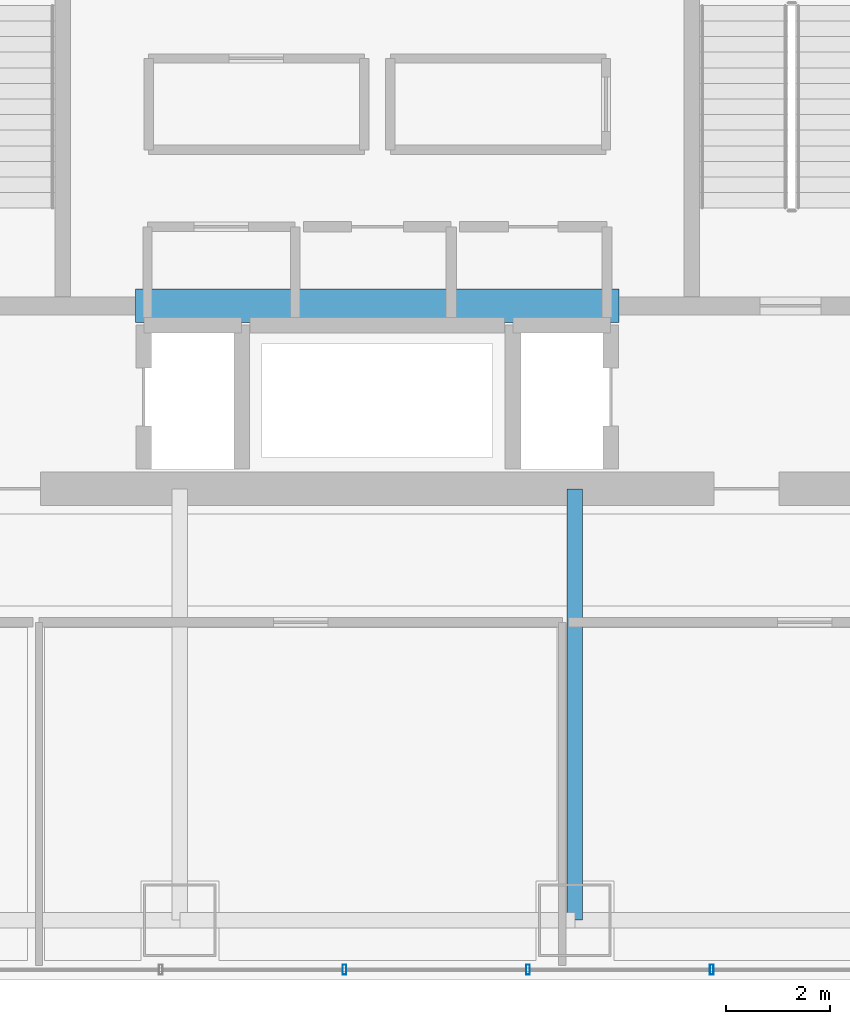
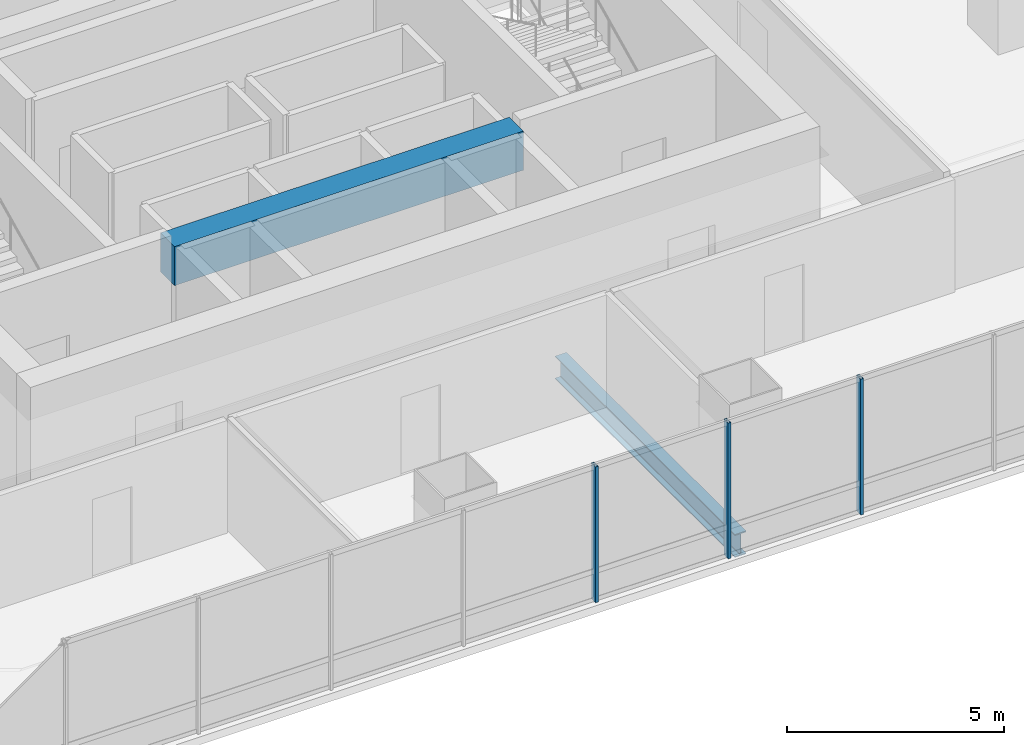
# One storey, part 9 of 37: 3 members, 2 beams, 1 element without a shape of its own.
"""IFC4 building model written with IfcOpenShell, lengths in metres."""

from ifc_helpers import new_model, si_unit, direction, frame, origin, origin_2d, place, context, subcontext, project, spatial, rectangle, hollow_rectangle, i_section, extrude, material, material_profile, profile_set, type_object, element, aggregate, save


model = new_model("IFC4")

# Units and contexts
model_context = context("Model", 3, precision=1e-05, world=origin(), true_north=direction((0.0, 1.0)))
body_context = subcontext(model_context, "Body", "Model", "MODEL_VIEW")
ifc_project = project(units=[si_unit("LENGTHUNIT", "METRE"), si_unit("AREAUNIT", "SQUARE_METRE"), si_unit("VOLUMEUNIT", "CUBIC_METRE"), si_unit("PLANEANGLEUNIT", "RADIAN"), si_unit("MASSUNIT", "GRAM", prefix="KILO")], contexts=[model_context])

# Site, building, storey
site_placement = place(None, origin())
site = spatial("IfcSite", under=ifc_project, at=site_placement, CompositionType="ELEMENT")
building_placement = place(site_placement, origin())
building = spatial("IfcBuilding", under=site, at=building_placement, Name="Punatoya Terracotta Tower", CompositionType="ELEMENT")
storey_placement = place(building_placement, frame((0.0, 0.0, 164.10009765625)))
storey = spatial("IfcBuildingStorey", under=building, at=storey_placement, Name="L38", CompositionType="ELEMENT", Elevation=164.10009765625)

# Beams
ifc_material_1 = material(Name="Steel S355", Category="steel")
ifc_material_profile_1 = material_profile(ifc_material_1, i_section(OverallWidth=0.300048828125, OverallDepth=0.64990234375, WebThickness=0.01611328125, FlangeThickness=0.031005859375, FilletRadius=0.01806640625, at=origin_2d()))
ifc_profile_set_1 = profile_set([ifc_material_profile_1], Name="Steel S355")
beam_type_1 = type_object("IfcBeamType", Name="BM-PRI-650", PredefinedType="BEAM", material=ifc_profile_set_1)
beam_1_placement = place(storey_placement, frame((3.800048828125, -17.5, -0.545166015625), z_axis=(0.0, 1.0, 0.0), x_axis=(-1.0, 0.0, 0.0)))
element("IfcBeam", 1, at=beam_1_placement, inside=storey, type_object=beam_type_1, Name="BM-L38-PR-S3", PredefinedType="BEAM", context=body_context, shape_type="SweptSolid", body=[
    extrude(i_section(OverallWidth=0.300048828125, OverallDepth=0.64990234375, WebThickness=0.01611328125, FlangeThickness=0.031005859375, FilletRadius=0.01806640625, at=origin_2d()), origin(), (0.0, 0.0, 1.0), 8.300048828125),
])
ifc_material_2 = material(Name="Concrete C60/75", Category="concrete")
ifc_material_profile_2 = material_profile(ifc_material_2, rectangle(XDim=0.64990234375, YDim=1.10009765625, at=origin_2d()))
ifc_profile_set_2 = profile_set([ifc_material_profile_2], Name="Concrete C60/75")
beam_type_2 = type_object("IfcBeamType", Name="BM-RC-1100", PredefinedType="LINTEL", material=ifc_profile_set_2)
beam_2_placement = place(storey_placement, frame((-4.64990234375, -5.679931640625, 3.27978515625), z_axis=(1.0, 0.0, 0.0), x_axis=(0.0, 1.0, 0.0)))
element("IfcBeam", 2, at=beam_2_placement, inside=storey, type_object=beam_type_2, Name="L38 Core Coupling Lintel CSW", PredefinedType="LINTEL", context=body_context, shape_type="SweptSolid", body=[
    extrude(rectangle(XDim=0.64990234375, YDim=1.10009765625, at=origin_2d()), origin(), (0.0, 0.0, 1.0), 9.2998046875),
])

# Curtain wall, members
ifc_material_3 = material(Name="Aluminium 6063-T6 + Double Low-E Glass", Category="aluminium")
curtain_wall_type = type_object("IfcCurtainWallType", Name="CW-M2", PredefinedType="NOTDEFINED", material=ifc_material_3)
curtain_wall_placement = place(storey_placement, origin())
curtain_wall = element("IfcCurtainWall", 3, at=curtain_wall_placement, inside=storey, type_object=curtain_wall_type, Name="L38 Curtain Wall CW-L38-S01-1", PredefinedType="NOTDEFINED")
ifc_material_4 = material(Name="Aluminium 6063-T6", Category="aluminium")
ifc_material_profile_3 = material_profile(ifc_material_4, hollow_rectangle(XDim=0.072021484375, YDim=0.195068359375, WallThickness=0.00439453125, at=origin_2d()))
ifc_profile_set_3 = profile_set([ifc_material_profile_3], Name="Aluminium 6063-T6")
member_type = type_object("IfcMemberType", Name="CW-MUL-M2", PredefinedType="MULLION", material=ifc_profile_set_3)
member_1_placement = place(storey_placement, frame((-0.633056640625, -18.449951171875, 0.0), z_axis=(0.0, 0.0, 1.0), x_axis=(1.0, 0.0, 0.0)))
member_1 = element("IfcMember", 4, at=member_1_placement, type_object=member_type, Name="CW-L38-S01-1 Mullion 06", PredefinedType="MULLION", context=body_context, shape_type="SweptSolid", body=[
    extrude(hollow_rectangle(XDim=0.072021484375, YDim=0.195068359375, WallThickness=0.00439453125, at=origin_2d()), origin(), (0.0, 0.0, 1.0), 3.829833984375),
])
member_2_placement = place(storey_placement, frame((2.90087890625, -18.449951171875, 0.0), z_axis=(0.0, 0.0, 1.0), x_axis=(1.0, 0.0, 0.0)))
member_2 = element("IfcMember", 5, at=member_2_placement, type_object=member_type, Name="CW-L38-S01-1 Mullion 07", PredefinedType="MULLION", context=body_context, shape_type="SweptSolid", body=[
    extrude(hollow_rectangle(XDim=0.072021484375, YDim=0.195068359375, WallThickness=0.00439453125, at=origin_2d()), origin(), (0.0, 0.0, 1.0), 3.829833984375),
])
member_3_placement = place(storey_placement, frame((6.43505859375, -18.449951171875, 0.0), z_axis=(0.0, 0.0, 1.0), x_axis=(1.0, 0.0, 0.0)))
member_3 = element("IfcMember", 6, at=member_3_placement, type_object=member_type, Name="CW-L38-S01-1 Mullion 08", PredefinedType="MULLION", context=body_context, shape_type="SweptSolid", body=[
    extrude(hollow_rectangle(XDim=0.072021484375, YDim=0.195068359375, WallThickness=0.00439453125, at=origin_2d()), origin(), (0.0, 0.0, 1.0), 3.829833984375),
])
aggregate(curtain_wall, [member_1, member_2, member_3])

save(model, "model.ifc")
